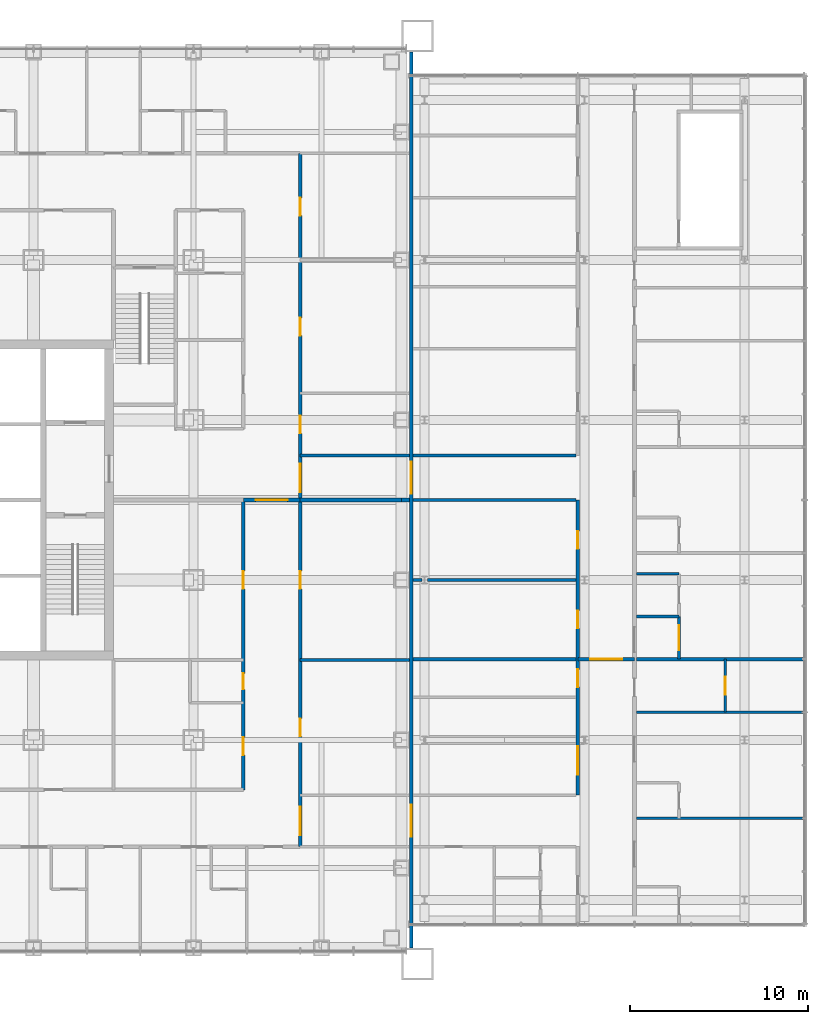
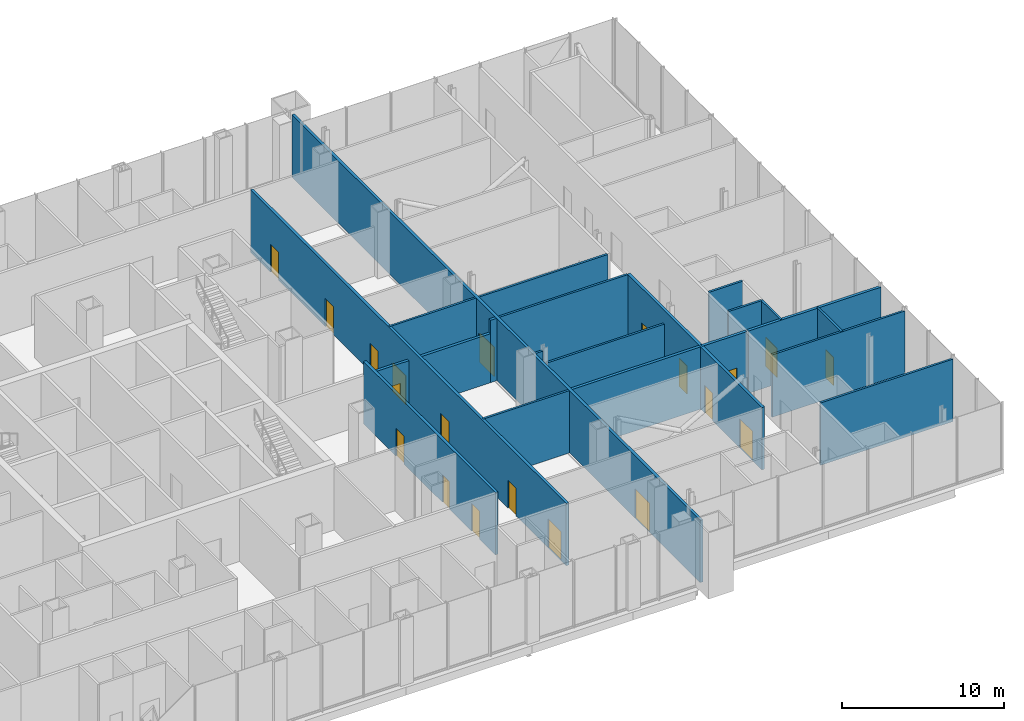
# One storey, part 21 of 28: 22 walls, 20 doors, 20 openings.
"""IFC4 building model written with IfcOpenShell, lengths in metres."""

from ifc_helpers import new_model, si_unit, direction, frame, frame_2d, origin, place, context, subcontext, project, spatial, rectangle, extrude, material, layer, layer_set, type_object, element, fill, save


model = new_model("IFC4")

# Units and contexts
model_context = context("Model", 3, precision=1e-05, world=origin(), true_north=direction((0.0, 1.0)))
body_context = subcontext(model_context, "Body", "Model", "MODEL_VIEW")
ifc_project = project(units=[si_unit("LENGTHUNIT", "METRE"), si_unit("AREAUNIT", "SQUARE_METRE"), si_unit("VOLUMEUNIT", "CUBIC_METRE"), si_unit("PLANEANGLEUNIT", "RADIAN"), si_unit("MASSUNIT", "GRAM", prefix="KILO")], contexts=[model_context])

# Site, building, storey
site_placement = place(None, origin())
site = spatial("IfcSite", under=ifc_project, at=site_placement, CompositionType="ELEMENT")
building_placement = place(site_placement, origin())
building = spatial("IfcBuilding", under=site, at=building_placement, Name="Malebo Sky Hospital", CompositionType="ELEMENT")
storey_placement = place(building_placement, frame((0.0, 0.0, 21.0)))
storey = spatial("IfcBuildingStorey", under=building, at=storey_placement, Name="L04", CompositionType="ELEMENT", Elevation=21.0)

# Wall, openings, doors
ifc_material_1 = material(Name="Gypsum board on steel studs", Category="steel")
ifc_layer_1 = layer(ifc_material_1, 0.199951171875)
ifc_layer_set_1 = layer_set([ifc_layer_1], Name="CORRIDOR WALL 200")
wall_type_1 = type_object("IfcWallType", Name="CORRIDOR WALL 200", PredefinedType="PARTITIONING", material=ifc_layer_set_1)
wall_1_placement = place(storey_placement, frame((79.5, 81.5, 0.0), z_axis=(0.0, 0.0, 1.0), x_axis=(0.0, -1.0, 0.0)))
wall_1 = element("IfcWall", 1, at=wall_1_placement, inside=storey, type_object=wall_type_1, Name="Corridor Wall 200 ECO", PredefinedType="PARTITIONING", context=body_context, shape_type="SweptSolid", body=[
    extrude(rectangle(XDim=39.0, YDim=0.199951171875, at=frame_2d((19.5, 0.0))), origin(), (0.0, 0.0, 1.0), 4.699951171875),
])
opening_1_placement = place(wall_1_placement, frame((2.5, 0.0, 0.0)))
opening_1 = element("IfcOpeningElement", 2, at=opening_1_placement, cuts=wall_1, Name="Opening D03", PredefinedType="OPENING", context=body_context, shape_type="SweptSolid", body=[
    extrude(rectangle(XDim=1.0, YDim=2.10009765625, at=frame_2d((0.5, 1.050048828125))), frame((0.0, 0.10986328125, 0.0), z_axis=(0.0, -1.0, 0.0), x_axis=(1.0, 0.0, 0.0)), (0.0, 0.0, 1.0), 0.219970703125),
])
opening_2_placement = place(wall_1_placement, frame((9.25, 0.0, 0.0)))
opening_2 = element("IfcOpeningElement", 3, at=opening_2_placement, cuts=wall_1, Name="Opening D03", PredefinedType="OPENING", context=body_context, shape_type="SweptSolid", body=[
    extrude(rectangle(XDim=1.0, YDim=2.10009765625, at=frame_2d((0.5, 1.050048828125))), frame((0.0, 0.10986328125, 0.0), z_axis=(0.0, -1.0, 0.0), x_axis=(1.0, 0.0, 0.0)), (0.0, 0.0, 1.0), 0.219970703125),
])
opening_3_placement = place(wall_1_placement, frame((14.75, 0.0, 0.0)))
opening_3 = element("IfcOpeningElement", 4, at=opening_3_placement, cuts=wall_1, Name="Opening D03", PredefinedType="OPENING", context=body_context, shape_type="SweptSolid", body=[
    extrude(rectangle(XDim=1.0, YDim=2.10009765625, at=frame_2d((0.5, 1.050048828125))), frame((0.0, 0.10986328125, 0.0), z_axis=(0.0, -1.0, 0.0), x_axis=(1.0, 0.0, 0.0)), (0.0, 0.0, 1.0), 0.219970703125),
])
opening_4_placement = place(wall_1_placement, frame((17.449951171875, 0.0, 0.0)))
opening_4 = element("IfcOpeningElement", 5, at=opening_4_placement, cuts=wall_1, Name="Opening D14", PredefinedType="OPENING", context=body_context, shape_type="SweptSolid", body=[
    extrude(rectangle(XDim=1.60009765625, YDim=2.199951171875, at=frame_2d((0.800048828125, 1.10009765625))), frame((0.0, 0.10986328125, 0.0), z_axis=(0.0, -1.0, 0.0), x_axis=(1.0, 0.0, 0.0)), (0.0, 0.0, 1.0), 0.219970703125),
])
opening_5_placement = place(wall_1_placement, frame((23.5, 0.0, 0.0)))
opening_5 = element("IfcOpeningElement", 6, at=opening_5_placement, cuts=wall_1, Name="Opening D03", PredefinedType="OPENING", context=body_context, shape_type="SweptSolid", body=[
    extrude(rectangle(XDim=1.0, YDim=2.10009765625, at=frame_2d((0.5, 1.050048828125))), frame((0.0, 0.10986328125, 0.0), z_axis=(0.0, -1.0, 0.0), x_axis=(1.0, 0.0, 0.0)), (0.0, 0.0, 1.0), 0.219970703125),
])
opening_6_placement = place(wall_1_placement, frame((31.800048828125, 0.0, 0.0)))
opening_6 = element("IfcOpeningElement", 7, at=opening_6_placement, cuts=wall_1, Name="Opening D03", PredefinedType="OPENING", context=body_context, shape_type="SweptSolid", body=[
    extrude(rectangle(XDim=1.0, YDim=2.10009765625, at=frame_2d((0.5, 1.050048828125))), frame((0.0, 0.10986328125, 0.0), z_axis=(0.0, -1.0, 0.0), x_axis=(1.0, 0.0, 0.0)), (0.0, 0.0, 1.0), 0.219970703125),
])
opening_7_placement = place(wall_1_placement, frame((36.75, 0.0, 0.0)))
opening_7 = element("IfcOpeningElement", 8, at=opening_7_placement, cuts=wall_1, Name="Opening D14", PredefinedType="OPENING", context=body_context, shape_type="SweptSolid", body=[
    extrude(rectangle(XDim=1.60009765625, YDim=2.199951171875, at=frame_2d((0.800048828125, 1.10009765625))), frame((0.0, 0.10986328125, 0.0), z_axis=(0.0, -1.0, 0.0), x_axis=(1.0, 0.0, 0.0)), (0.0, 0.0, 1.0), 0.219970703125),
])
ifc_material_2 = material(Name="Hardwood-faced door leaf in steel frame", Category="steel")
door_type_1 = type_object("IfcDoorType", Name="DEPARTMENT DOOR PAIR 1600", OperationType="DOUBLE_DOOR_DOUBLE_SWING", PredefinedType="DOOR", material=ifc_material_2)
door_1_placement = place(opening_4_placement, origin())
door_1 = element("IfcDoor", 9, at=door_1_placement, inside=storey, type_object=door_type_1, Name="Link corridor door pair", OperationType="DOUBLE_DOOR_DOUBLE_SWING", OverallHeight=2.199951171875, OverallWidth=1.60009765625, PredefinedType="DOOR", context=body_context, shape_type="SweptSolid", body=[
    extrude(rectangle(XDim=1.60009765625, YDim=2.199951171875, at=frame_2d((0.800048828125, 1.10009765625))), frame((0.0, 0.02490234375, 0.0), z_axis=(0.0, -1.0, 0.0), x_axis=(1.0, 0.0, 0.0)), (0.0, 0.0, 1.0), 0.050048828125),
])
fill(opening_4, door_1)
door_2_placement = place(opening_7_placement, origin())
door_2 = element("IfcDoor", 10, at=door_2_placement, inside=storey, type_object=door_type_1, Name="Link corridor door pair", OperationType="DOUBLE_DOOR_DOUBLE_SWING", OverallHeight=2.199951171875, OverallWidth=1.60009765625, PredefinedType="DOOR", context=body_context, shape_type="SweptSolid", body=[
    extrude(rectangle(XDim=1.60009765625, YDim=2.199951171875, at=frame_2d((0.800048828125, 1.10009765625))), frame((0.0, 0.02490234375, 0.0), z_axis=(0.0, -1.0, 0.0), x_axis=(1.0, 0.0, 0.0)), (0.0, 0.0, 1.0), 0.050048828125),
])
fill(opening_7, door_2)
door_type_2 = type_object("IfcDoorType", Name="ROOM DOOR 1000", OperationType="SINGLE_SWING_LEFT", PredefinedType="DOOR", material=ifc_material_2)
door_3_placement = place(opening_1_placement, origin())
door_3 = element("IfcDoor", 11, at=door_3_placement, inside=storey, type_object=door_type_2, Name="ICU satellite pharmacy door", OperationType="SINGLE_SWING_LEFT", OverallHeight=2.10009765625, OverallWidth=1.0, PredefinedType="DOOR", context=body_context, shape_type="SweptSolid", body=[
    extrude(rectangle(XDim=1.0, YDim=2.10009765625, at=frame_2d((0.5, 1.050048828125))), frame((0.0, 0.02490234375, 0.0), z_axis=(0.0, -1.0, 0.0), x_axis=(1.0, 0.0, 0.0)), (0.0, 0.0, 1.0), 0.050048828125),
])
fill(opening_1, door_3)
door_4_placement = place(opening_2_placement, origin())
door_4 = element("IfcDoor", 12, at=door_4_placement, inside=storey, type_object=door_type_2, Name="ICU clean utility room door", OperationType="SINGLE_SWING_LEFT", OverallHeight=2.10009765625, OverallWidth=1.0, PredefinedType="DOOR", context=body_context, shape_type="SweptSolid", body=[
    extrude(rectangle(XDim=1.0, YDim=2.10009765625, at=frame_2d((0.5, 1.050048828125))), frame((0.0, 0.02490234375, 0.0), z_axis=(0.0, -1.0, 0.0), x_axis=(1.0, 0.0, 0.0)), (0.0, 0.0, 1.0), 0.050048828125),
])
fill(opening_2, door_4)
door_5_placement = place(opening_3_placement, origin())
door_5 = element("IfcDoor", 13, at=door_5_placement, inside=storey, type_object=door_type_2, Name="ICU consultant office door", OperationType="SINGLE_SWING_LEFT", OverallHeight=2.10009765625, OverallWidth=1.0, PredefinedType="DOOR", context=body_context, shape_type="SweptSolid", body=[
    extrude(rectangle(XDim=1.0, YDim=2.10009765625, at=frame_2d((0.5, 1.050048828125))), frame((0.0, 0.02490234375, 0.0), z_axis=(0.0, -1.0, 0.0), x_axis=(1.0, 0.0, 0.0)), (0.0, 0.0, 1.0), 0.050048828125),
])
fill(opening_3, door_5)
door_6_placement = place(opening_5_placement, origin())
door_6 = element("IfcDoor", 14, at=door_6_placement, inside=storey, type_object=door_type_2, Name="ICU relatives overnight room door", OperationType="SINGLE_SWING_LEFT", OverallHeight=2.10009765625, OverallWidth=1.0, PredefinedType="DOOR", context=body_context, shape_type="SweptSolid", body=[
    extrude(rectangle(XDim=1.0, YDim=2.10009765625, at=frame_2d((0.5, 1.050048828125))), frame((0.0, 0.02490234375, 0.0), z_axis=(0.0, -1.0, 0.0), x_axis=(1.0, 0.0, 0.0)), (0.0, 0.0, 1.0), 0.050048828125),
])
fill(opening_5, door_6)
door_7_placement = place(opening_6_placement, origin())
door_7 = element("IfcDoor", 15, at=door_7_placement, inside=storey, type_object=door_type_2, Name="ICU dirty utility room door", OperationType="SINGLE_SWING_LEFT", OverallHeight=2.10009765625, OverallWidth=1.0, PredefinedType="DOOR", context=body_context, shape_type="SweptSolid", body=[
    extrude(rectangle(XDim=1.0, YDim=2.10009765625, at=frame_2d((0.5, 1.050048828125))), frame((0.0, 0.02490234375, 0.0), z_axis=(0.0, -1.0, 0.0), x_axis=(1.0, 0.0, 0.0)), (0.0, 0.0, 1.0), 0.050048828125),
])
fill(opening_6, door_7)

wall_2_placement = place(storey_placement, frame((76.300048828125, 62.0, 0.0), z_axis=(0.0, 0.0, 1.0), x_axis=(0.0, -1.0, 0.0)))
wall_2 = element("IfcWall", 16, at=wall_2_placement, inside=storey, type_object=wall_type_1, Name="Corridor Wall 200 ECI2", PredefinedType="PARTITIONING", context=body_context, shape_type="SweptSolid", body=[
    extrude(rectangle(XDim=16.300048828125, YDim=0.199951171875, at=frame_2d((8.14990234375, 0.0))), origin(), (0.0, 0.0, 1.0), 4.699951171875),
])
opening_8_placement = place(wall_2_placement, frame((4.0, 0.0, 0.0)))
opening_8 = element("IfcOpeningElement", 17, at=opening_8_placement, cuts=wall_2, Name="Opening D03", PredefinedType="OPENING", context=body_context, shape_type="SweptSolid", body=[
    extrude(rectangle(XDim=1.0, YDim=2.10009765625, at=frame_2d((0.5, 1.050048828125))), frame((0.0, 0.10986328125, 0.0), z_axis=(0.0, -1.0, 0.0), x_axis=(1.0, 0.0, 0.0)), (0.0, 0.0, 1.0), 0.219970703125),
])
opening_9_placement = place(wall_2_placement, frame((9.75, 0.0, 0.0)))
opening_9 = element("IfcOpeningElement", 18, at=opening_9_placement, cuts=wall_2, Name="Opening D04", PredefinedType="OPENING", context=body_context, shape_type="SweptSolid", body=[
    extrude(rectangle(XDim=0.89990234375, YDim=2.10009765625, at=frame_2d((0.449951171875, 1.050048828125))), frame((0.0, 0.10986328125, 0.0), z_axis=(0.0, -1.0, 0.0), x_axis=(1.0, 0.0, 0.0)), (0.0, 0.0, 1.0), 0.219970703125),
])
opening_10_placement = place(wall_2_placement, frame((13.35009765625, 0.0, 0.0)))
opening_10 = element("IfcOpeningElement", 19, at=opening_10_placement, cuts=wall_2, Name="Opening D03", PredefinedType="OPENING", context=body_context, shape_type="SweptSolid", body=[
    extrude(rectangle(XDim=1.0, YDim=2.10009765625, at=frame_2d((0.5, 1.050048828125))), frame((0.0, 0.10986328125, 0.0), z_axis=(0.0, -1.0, 0.0), x_axis=(1.0, 0.0, 0.0)), (0.0, 0.0, 1.0), 0.219970703125),
])
door_8_placement = place(opening_8_placement, origin())
door_8 = element("IfcDoor", 20, at=door_8_placement, inside=storey, type_object=door_type_2, Name="Store door", OperationType="SINGLE_SWING_LEFT", OverallHeight=2.10009765625, OverallWidth=1.0, PredefinedType="DOOR", context=body_context, shape_type="SweptSolid", body=[
    extrude(rectangle(XDim=1.0, YDim=2.10009765625, at=frame_2d((0.5, 1.050048828125))), frame((0.0, 0.02490234375, 0.0), z_axis=(0.0, -1.0, 0.0), x_axis=(1.0, 0.0, 0.0)), (0.0, 0.0, 1.0), 0.050048828125),
])
fill(opening_8, door_8)
door_9_placement = place(opening_10_placement, origin())
door_9 = element("IfcDoor", 21, at=door_9_placement, inside=storey, type_object=door_type_2, Name="Cleaning equipment store door", OperationType="SINGLE_SWING_RIGHT", OverallHeight=2.10009765625, OverallWidth=1.0, PredefinedType="DOOR", context=body_context, shape_type="SweptSolid", body=[
    extrude(rectangle(XDim=1.0, YDim=2.10009765625, at=frame_2d((0.5, 1.050048828125))), frame((0.0, 0.02490234375, 0.0), z_axis=(0.0, -1.0, 0.0), x_axis=(1.0, 0.0, 0.0)), (0.0, 0.0, 1.0), 0.050048828125),
])
fill(opening_10, door_9)
door_type_3 = type_object("IfcDoorType", Name="ROOM DOOR 900", OperationType="SINGLE_SWING_LEFT", PredefinedType="DOOR", material=ifc_material_2)
door_10_placement = place(opening_9_placement, origin())
door_10 = element("IfcDoor", 22, at=door_10_placement, inside=storey, type_object=door_type_3, Name="Cleaner's room door", OperationType="SINGLE_SWING_LEFT", OverallHeight=2.10009765625, OverallWidth=0.89990234375, PredefinedType="DOOR", context=body_context, shape_type="SweptSolid", body=[
    extrude(rectangle(XDim=0.89990234375, YDim=2.10009765625, at=frame_2d((0.449951171875, 1.050048828125))), frame((0.0, 0.02490234375, 0.0), z_axis=(0.0, -1.0, 0.0), x_axis=(1.0, 0.0, 0.0)), (0.0, 0.0, 1.0), 0.050048828125),
])
fill(opening_9, door_10)

wall_3_placement = place(storey_placement, frame((95.117919921875, 45.39990234375, 0.0), z_axis=(0.0, 0.0, 1.0), x_axis=(0.0, 1.0, 0.0)))
wall_3 = element("IfcWall", 23, at=wall_3_placement, inside=storey, type_object=wall_type_1, Name="Corridor Wall 200 EWC2B", PredefinedType="PARTITIONING", context=body_context, shape_type="SweptSolid", body=[
    extrude(rectangle(XDim=16.60009765625, YDim=0.199951171875, at=frame_2d((8.300048828125, 0.0))), origin(), (0.0, 0.0, 1.0), 4.699951171875),
])
opening_11_placement = place(wall_3_placement, frame((1.14990234375, 0.0, 0.0)))
opening_11 = element("IfcOpeningElement", 24, at=opening_11_placement, cuts=wall_3, Name="Opening D14", PredefinedType="OPENING", context=body_context, shape_type="SweptSolid", body=[
    extrude(rectangle(XDim=1.60009765625, YDim=2.199951171875, at=frame_2d((0.800048828125, 1.10009765625))), frame((0.0, 0.10986328125, 0.0), z_axis=(0.0, -1.0, 0.0), x_axis=(1.0, 0.0, 0.0)), (0.0, 0.0, 1.0), 0.219970703125),
])
opening_12_placement = place(wall_3_placement, frame((6.073486328125, 0.0, 0.0)))
opening_12 = element("IfcOpeningElement", 25, at=opening_12_placement, cuts=wall_3, Name="Opening D03", PredefinedType="OPENING", context=body_context, shape_type="SweptSolid", body=[
    extrude(rectangle(XDim=1.0, YDim=2.10009765625, at=frame_2d((0.5, 1.050048828125))), frame((0.0, 0.10986328125, 0.0), z_axis=(0.0, -1.0, 0.0), x_axis=(1.0, 0.0, 0.0)), (0.0, 0.0, 1.0), 0.219970703125),
])
opening_13_placement = place(wall_3_placement, frame((9.37353515625, 0.0, 0.0)))
opening_13 = element("IfcOpeningElement", 26, at=opening_13_placement, cuts=wall_3, Name="Opening D03", PredefinedType="OPENING", context=body_context, shape_type="SweptSolid", body=[
    extrude(rectangle(XDim=1.0, YDim=2.10009765625, at=frame_2d((0.5, 1.050048828125))), frame((0.0, 0.10986328125, 0.0), z_axis=(0.0, -1.0, 0.0), x_axis=(1.0, 0.0, 0.0)), (0.0, 0.0, 1.0), 0.219970703125),
])
opening_14_placement = place(wall_3_placement, frame((13.85009765625, 0.0, 0.0)))
opening_14 = element("IfcOpeningElement", 27, at=opening_14_placement, cuts=wall_3, Name="Opening D03", PredefinedType="OPENING", context=body_context, shape_type="SweptSolid", body=[
    extrude(rectangle(XDim=1.0, YDim=2.10009765625, at=frame_2d((0.5, 1.050048828125))), frame((0.0, 0.10986328125, 0.0), z_axis=(0.0, -1.0, 0.0), x_axis=(1.0, 0.0, 0.0)), (0.0, 0.0, 1.0), 0.219970703125),
])
door_11_placement = place(opening_11_placement, origin())
door_11 = element("IfcDoor", 28, at=door_11_placement, inside=storey, type_object=door_type_1, Name="ICU equipment store door", OperationType="DOUBLE_DOOR_DOUBLE_SWING", OverallHeight=2.199951171875, OverallWidth=1.60009765625, PredefinedType="DOOR", context=body_context, shape_type="SweptSolid", body=[
    extrude(rectangle(XDim=1.60009765625, YDim=2.199951171875, at=frame_2d((0.800048828125, 1.10009765625))), frame((0.0, 0.02490234375, 0.0), z_axis=(0.0, -1.0, 0.0), x_axis=(1.0, 0.0, 0.0)), (0.0, 0.0, 1.0), 0.050048828125),
])
fill(opening_11, door_11)
door_12_placement = place(opening_12_placement, origin())
door_12 = element("IfcDoor", 29, at=door_12_placement, inside=storey, type_object=door_type_2, Name="Clean utility room door", OperationType="SINGLE_SWING_RIGHT", OverallHeight=2.10009765625, OverallWidth=1.0, PredefinedType="DOOR", context=body_context, shape_type="SweptSolid", body=[
    extrude(rectangle(XDim=1.0, YDim=2.10009765625, at=frame_2d((0.5, 1.050048828125))), frame((0.0, 0.02490234375, 0.0), z_axis=(0.0, -1.0, 0.0), x_axis=(1.0, 0.0, 0.0)), (0.0, 0.0, 1.0), 0.050048828125),
])
fill(opening_12, door_12)
door_13_placement = place(opening_13_placement, origin())
door_13 = element("IfcDoor", 30, at=door_13_placement, inside=storey, type_object=door_type_2, Name="ICU blood gas laboratory door", OperationType="SINGLE_SWING_LEFT", OverallHeight=2.10009765625, OverallWidth=1.0, PredefinedType="DOOR", context=body_context, shape_type="SweptSolid", body=[
    extrude(rectangle(XDim=1.0, YDim=2.10009765625, at=frame_2d((0.5, 1.050048828125))), frame((0.0, 0.02490234375, 0.0), z_axis=(0.0, -1.0, 0.0), x_axis=(1.0, 0.0, 0.0)), (0.0, 0.0, 1.0), 0.050048828125),
])
fill(opening_13, door_13)
door_14_placement = place(opening_14_placement, origin())
door_14 = element("IfcDoor", 31, at=door_14_placement, inside=storey, type_object=door_type_2, Name="ICU staff base door", OperationType="SINGLE_SWING_LEFT", OverallHeight=2.10009765625, OverallWidth=1.0, PredefinedType="DOOR", context=body_context, shape_type="SweptSolid", body=[
    extrude(rectangle(XDim=1.0, YDim=2.10009765625, at=frame_2d((0.5, 1.050048828125))), frame((0.0, 0.02490234375, 0.0), z_axis=(0.0, -1.0, 0.0), x_axis=(1.0, 0.0, 0.0)), (0.0, 0.0, 1.0), 0.050048828125),
])
fill(opening_14, door_14)

ifc_material_3 = material(Name="Concrete blockwork", Category="masonry")
ifc_layer_2 = layer(ifc_material_3, 0.199951171875)
ifc_layer_set_2 = layer_set([ifc_layer_2], Name="MOVEMENT JOINT WALL 200")
wall_type_2 = type_object("IfcWallType", Name="MOVEMENT JOINT WALL 200", PredefinedType="SOLIDWALL", material=ifc_layer_set_2)
wall_4_placement = place(storey_placement, frame((85.75, 36.800048828125, 0.0), z_axis=(0.0, 0.0, 1.0), x_axis=(0.0, 1.0, 0.0)))
wall_4 = element("IfcWall", 32, at=wall_4_placement, inside=storey, type_object=wall_type_2, Name="Movement Joint Wall 200 EJ", PredefinedType="SOLIDWALL", context=body_context, shape_type="SweptSolid", body=[
    extrude(rectangle(XDim=50.39990234375, YDim=0.199951171875, at=frame_2d((25.199951171875, 0.0))), origin(), (0.0, 0.0, 1.0), 4.699951171875),
])
opening_15_placement = place(wall_4_placement, frame((6.25, 0.0, 0.0)))
opening_15 = element("IfcOpeningElement", 33, at=opening_15_placement, cuts=wall_4, Name="Opening D28", PredefinedType="OPENING", context=body_context, shape_type="SweptSolid", body=[
    extrude(rectangle(XDim=1.800048828125, YDim=2.199951171875, at=frame_2d((0.89990234375, 1.10009765625))), frame((0.0, 0.10986328125, 0.0), z_axis=(0.0, -1.0, 0.0), x_axis=(1.0, 0.0, 0.0)), (0.0, 0.0, 1.0), 0.219970703125),
])
opening_16_placement = place(wall_4_placement, frame((25.550048828125, 0.0, 0.0)))
opening_16 = element("IfcOpeningElement", 34, at=opening_16_placement, cuts=wall_4, Name="Opening D28", PredefinedType="OPENING", context=body_context, shape_type="SweptSolid", body=[
    extrude(rectangle(XDim=1.800048828125, YDim=2.199951171875, at=frame_2d((0.89990234375, 1.10009765625))), frame((0.0, 0.10986328125, 0.0), z_axis=(0.0, -1.0, 0.0), x_axis=(1.0, 0.0, 0.0)), (0.0, 0.0, 1.0), 0.219970703125),
])
door_type_4 = type_object("IfcDoorType", Name="FIRE DOOR PAIR 1800", OperationType="DOUBLE_DOOR_SINGLE_SWING", PredefinedType="DOOR", material=ifc_material_2)
door_15_placement = place(opening_15_placement, origin())
door_15 = element("IfcDoor", 35, at=door_15_placement, inside=storey, type_object=door_type_4, Name="Link fire door pair", OperationType="DOUBLE_DOOR_SINGLE_SWING", OverallHeight=2.199951171875, OverallWidth=1.800048828125, PredefinedType="DOOR", context=body_context, shape_type="SweptSolid", body=[
    extrude(rectangle(XDim=1.800048828125, YDim=2.199951171875, at=frame_2d((0.89990234375, 1.10009765625))), frame((0.0, 0.02490234375, 0.0), z_axis=(0.0, -1.0, 0.0), x_axis=(1.0, 0.0, 0.0)), (0.0, 0.0, 1.0), 0.050048828125),
])
fill(opening_15, door_15)
door_16_placement = place(opening_16_placement, origin())
door_16 = element("IfcDoor", 36, at=door_16_placement, inside=storey, type_object=door_type_4, Name="Link fire door pair", OperationType="DOUBLE_DOOR_SINGLE_SWING", OverallHeight=2.199951171875, OverallWidth=1.800048828125, PredefinedType="DOOR", context=body_context, shape_type="SweptSolid", body=[
    extrude(rectangle(XDim=1.800048828125, YDim=2.199951171875, at=frame_2d((0.89990234375, 1.10009765625))), frame((0.0, 0.02490234375, 0.0), z_axis=(0.0, -1.0, 0.0), x_axis=(1.0, 0.0, 0.0)), (0.0, 0.0, 1.0), 0.050048828125),
])
fill(opening_16, door_16)

# Walls
ifc_layer_3 = layer(ifc_material_1, 0.14990234375)
ifc_layer_set_3 = layer_set([ifc_layer_3], Name="PARTITION 150")
wall_type_3 = type_object("IfcWallType", Name="PARTITION 150", PredefinedType="PARTITIONING", material=ifc_layer_set_3)
for number, where, z_axis, x_axis, name in (
    (37, (79.5, 64.5, 0.0), (0.0, 0.0, 1.0), (1.0, 0.0, 0.0), "Partition 150 EP-2.5"),
    (38, (79.5, 53.0, 0.0), (0.0, 0.0, 1.0), (1.0, 0.0, 0.0), "Partition 150 EP+9.0"),
):
    element("IfcWall", number, at=place(storey_placement, frame(where, z_axis=z_axis, x_axis=x_axis)), inside=storey, type_object=wall_type_3, Name=name, PredefinedType="PARTITIONING", context=body_context, shape_type="SweptSolid", body=[
        extrude(rectangle(XDim=6.14990234375, YDim=0.14990234375, at=frame_2d((3.074951171875, 0.0))), origin(), (0.0, 0.0, 1.0), 4.699951171875),
    ])
for number, where, z_axis, x_axis, name in (
    (39, (107.85009765625, 44.09375, 0.0), (0.0, 0.0, 1.0), (-1.0, 0.0, 0.0), "Partition 150 EOH00"),
    (40, (107.85009765625, 50.0625, 0.0), (0.0, 0.0, 1.0), (-1.0, 0.0, 0.0), "Partition 150 EOH01"),
):
    element("IfcWall", number, at=place(storey_placement, frame(where, z_axis=z_axis, x_axis=x_axis)), inside=storey, type_object=wall_type_3, Name=name, PredefinedType="PARTITIONING", context=body_context, shape_type="SweptSolid", body=[
        extrude(rectangle(XDim=9.443115234375, YDim=0.14990234375, at=frame_2d((4.7216796875, 0.0))), origin(), (0.0, 0.0, 1.0), 4.699951171875),
    ])

# Wall, opening, door
wall_5_placement = place(storey_placement, frame((103.406982421875, 50.0625, 0.0), z_axis=(0.0, 0.0, 1.0), x_axis=(0.0, 1.0, 0.0)))
wall_5 = element("IfcWall", 41, at=wall_5_placement, inside=storey, type_object=wall_type_3, Name="Partition 150 EOV06", PredefinedType="PARTITIONING", context=body_context, shape_type="SweptSolid", body=[
    extrude(rectangle(XDim=2.984375, YDim=0.14990234375, at=frame_2d((1.4921875, 0.0))), origin(), (0.0, 0.0, 1.0), 4.699951171875),
])
opening_17_placement = place(wall_5_placement, frame((0.9921875, 0.0, 0.0)))
opening_17 = element("IfcOpeningElement", 42, at=opening_17_placement, cuts=wall_5, Name="Opening D03", PredefinedType="OPENING", context=body_context, shape_type="SweptSolid", body=[
    extrude(rectangle(XDim=1.0, YDim=2.10009765625, at=frame_2d((0.5, 1.050048828125))), frame((0.0, 0.0849609375, 0.0), z_axis=(0.0, -1.0, 0.0), x_axis=(1.0, 0.0, 0.0)), (0.0, 0.0, 1.0), 0.169921875),
])
door_17_placement = place(opening_17_placement, origin())
door_17 = element("IfcDoor", 43, at=door_17_placement, inside=storey, type_object=door_type_2, Name="ICU clean utility room inner door", OperationType="SINGLE_SWING_RIGHT", OverallHeight=2.10009765625, OverallWidth=1.0, PredefinedType="DOOR", context=body_context, shape_type="SweptSolid", body=[
    extrude(rectangle(XDim=1.0, YDim=2.10009765625, at=frame_2d((0.5, 1.050048828125))), frame((0.0, 0.02490234375, 0.0), z_axis=(0.0, -1.0, 0.0), x_axis=(1.0, 0.0, 0.0)), (0.0, 0.0, 1.0), 0.050048828125),
])
fill(opening_17, door_17)

# Walls
wall_6_placement = place(storey_placement, frame((98.406982421875, 57.846923828125, 0.0), z_axis=(0.0, 0.0, 1.0), x_axis=(1.0, 0.0, 0.0)))
element("IfcWall", 44, at=wall_6_placement, inside=storey, type_object=wall_type_3, Name="Partition 150 EOX03S", PredefinedType="PARTITIONING", context=body_context, shape_type="SweptSolid", body=[
    extrude(rectangle(XDim=2.39990234375, YDim=0.14990234375, at=frame_2d((1.199951171875, 0.0))), origin(), (0.0, 0.0, 1.0), 4.699951171875),
])
wall_7_placement = place(storey_placement, frame((95.01806640625, 57.5, 0.0), z_axis=(0.0, 0.0, 1.0), x_axis=(-1.0, 0.0, 0.0)))
element("IfcWall", 45, at=wall_7_placement, inside=storey, type_object=wall_type_3, Name="Partition 150 EIH05", PredefinedType="PARTITIONING", context=body_context, shape_type="SweptSolid", body=[
    extrude(rectangle(XDim=8.364501953125, YDim=0.14990234375, at=frame_2d((4.18212890625, 0.0))), origin(), (0.0, 0.0, 1.0), 3.699951171875),
])
wall_8_placement = place(storey_placement, frame((86.346435546875, 57.5, 0.0), z_axis=(0.0, 0.0, 1.0), x_axis=(-1.0, 0.0, 0.0)))
element("IfcWall", 46, at=wall_8_placement, inside=storey, type_object=wall_type_3, Name="Partition 150 EIH05", PredefinedType="PARTITIONING", context=body_context, shape_type="SweptSolid", body=[
    extrude(rectangle(XDim=0.496337890625, YDim=0.14990234375, at=frame_2d((0.248046875, 0.0))), origin(), (0.0, 0.0, 1.0), 4.699951171875),
])
for number, where, z_axis, x_axis, name in (
    (47, (95.01806640625, 62.0, 0.0), (0.0, 0.0, 1.0), (-1.0, 0.0, 0.0), "Partition 150 EIH06"),
    (48, (95.01806640625, 64.5, 0.0), (0.0, 0.0, 1.0), (-1.0, 0.0, 0.0), "Partition 150 EIH07"),
):
    element("IfcWall", number, at=place(storey_placement, frame(where, z_axis=z_axis, x_axis=x_axis)), inside=storey, type_object=wall_type_3, Name=name, PredefinedType="PARTITIONING", context=body_context, shape_type="SweptSolid", body=[
        extrude(rectangle(XDim=9.16796875, YDim=0.14990234375, at=frame_2d((4.583984375, 0.0))), origin(), (0.0, 0.0, 1.0), 4.699951171875),
    ])

# Wall, opening, door
ifc_material_4 = material(Name="Sealed gypsum board on steel studs, taped to the slab", Category="steel")
ifc_layer_4 = layer(ifc_material_4, 0.14990234375)
ifc_layer_set_4 = layer_set([ifc_layer_4], Name="SEALED ISOLATION PARTITION 150")
wall_type_4 = type_object("IfcWallType", Name="SEALED ISOLATION PARTITION 150", PredefinedType="PARTITIONING", material=ifc_layer_set_4)
wall_9_placement = place(storey_placement, frame((100.806884765625, 53.046875, 0.0), z_axis=(0.0, 0.0, 1.0), x_axis=(0.0, 1.0, 0.0)))
wall_9 = element("IfcWall", 49, at=wall_9_placement, inside=storey, type_object=wall_type_4, Name="Sealed Isolation Partition 150 EOX02F", PredefinedType="PARTITIONING", context=body_context, shape_type="SweptSolid", body=[
    extrude(rectangle(XDim=2.400146484375, YDim=0.14990234375, at=frame_2d((1.2001953125, 0.0))), origin(), (0.0, 0.0, 1.0), 4.699951171875),
])
opening_18_placement = place(wall_9_placement, frame((0.5, 0.0, 0.0)))
opening_18 = element("IfcOpeningElement", 50, at=opening_18_placement, cuts=wall_9, Name="Opening D29", PredefinedType="OPENING", context=body_context, shape_type="SweptSolid", body=[
    extrude(rectangle(XDim=1.39990234375, YDim=2.199951171875, at=frame_2d((0.699951171875, 1.10009765625))), frame((0.0, 0.0849609375, 0.0), z_axis=(0.0, -1.0, 0.0), x_axis=(1.0, 0.0, 0.0)), (0.0, 0.0, 1.0), 0.169921875),
])
ifc_material_5 = material(Name="Hardwood-faced door leaf with perimeter seals in steel frame", Category="steel")
door_type_5 = type_object("IfcDoorType", Name="SEALED ISOLATION BED DOOR PAIR 1400", OperationType="DOUBLE_DOOR_SINGLE_SWING", PredefinedType="DOOR", material=ifc_material_5)
door_18_placement = place(opening_18_placement, origin())
door_18 = element("IfcDoor", 51, at=door_18_placement, inside=storey, type_object=door_type_5, Name="Isolation room door", OperationType="DOUBLE_DOOR_SINGLE_SWING", OverallHeight=2.199951171875, OverallWidth=1.39990234375, PredefinedType="DOOR", context=body_context, shape_type="SweptSolid", body=[
    extrude(rectangle(XDim=1.39990234375, YDim=2.199951171875, at=frame_2d((0.699951171875, 1.10009765625))), frame((0.0, 0.02490234375, 0.0), z_axis=(0.0, -1.0, 0.0), x_axis=(1.0, 0.0, 0.0)), (0.0, 0.0, 1.0), 0.050048828125),
])
fill(opening_18, door_18)

# Walls
wall_10_placement = place(storey_placement, frame((98.406982421875, 55.447021484375, 0.0), z_axis=(0.0, 0.0, 1.0), x_axis=(1.0, 0.0, 0.0)))
element("IfcWall", 52, at=wall_10_placement, inside=storey, type_object=wall_type_4, Name="Sealed Isolation Partition 150 EOX02S", PredefinedType="PARTITIONING", context=body_context, shape_type="SweptSolid", body=[
    extrude(rectangle(XDim=2.39990234375, YDim=0.14990234375, at=frame_2d((1.199951171875, 0.0))), origin(), (0.0, 0.0, 1.0), 4.699951171875),
])
ifc_layer_5 = layer(ifc_material_3, 0.199951171875)
ifc_layer_set_5 = layer_set([ifc_layer_5], Name="SMOKE BARRIER WALL 200")
wall_type_5 = type_object("IfcWallType", Name="SMOKE BARRIER WALL 200", PredefinedType="SOLIDWALL", material=ifc_layer_set_5)
wall_11_placement = place(storey_placement, frame((79.5, 62.0, 0.0), z_axis=(0.0, 0.0, 1.0), x_axis=(1.0, 0.0, 0.0)))
element("IfcWall", 53, at=wall_11_placement, inside=storey, type_object=wall_type_5, Name="Smoke Barrier Wall 200 EP+0.0", PredefinedType="SOLIDWALL", context=body_context, shape_type="SweptSolid", body=[
    extrude(rectangle(XDim=5.699951171875, YDim=0.199951171875, at=frame_2d((2.85009765625, 0.0))), origin(), (0.0, 0.0, 1.0), 3.699951171875),
])
wall_12_placement = place(storey_placement, frame((85.199951171875, 62.0, 0.0), z_axis=(0.0, 0.0, 1.0), x_axis=(1.0, 0.0, 0.0)))
element("IfcWall", 54, at=wall_12_placement, inside=storey, type_object=wall_type_5, Name="Smoke Barrier Wall 200 EP+0.0", PredefinedType="SOLIDWALL", context=body_context, shape_type="SweptSolid", body=[
    extrude(rectangle(XDim=0.449951171875, YDim=0.199951171875, at=frame_2d((0.22509765625, 0.0))), origin(), (0.0, 0.0, 1.0), 4.699951171875),
])

# Wall, opening, door
wall_13_placement = place(storey_placement, frame((76.300048828125, 62.0, 0.0), z_axis=(0.0, 0.0, 1.0), x_axis=(1.0, 0.0, 0.0)))
wall_13 = element("IfcWall", 55, at=wall_13_placement, inside=storey, type_object=wall_type_5, Name="Smoke Barrier Wall 200 ESB", PredefinedType="SOLIDWALL", context=body_context, shape_type="SweptSolid", body=[
    extrude(rectangle(XDim=3.199951171875, YDim=0.199951171875, at=frame_2d((1.60009765625, 0.0))), origin(), (0.0, 0.0, 1.0), 3.699951171875),
])
opening_19_placement = place(wall_13_placement, frame((0.699951171875, 0.0, 0.0)))
opening_19 = element("IfcOpeningElement", 56, at=opening_19_placement, cuts=wall_13, Name="Opening D05", PredefinedType="OPENING", context=body_context, shape_type="SweptSolid", body=[
    extrude(rectangle(XDim=1.800048828125, YDim=2.199951171875, at=frame_2d((0.89990234375, 1.10009765625))), frame((0.0, 0.10986328125, 0.0), z_axis=(0.0, -1.0, 0.0), x_axis=(1.0, 0.0, 0.0)), (0.0, 0.0, 1.0), 0.219970703125),
])
door_type_6 = type_object("IfcDoorType", Name="SMOKE DOOR PAIR 1800", OperationType="DOUBLE_DOOR_DOUBLE_SWING", PredefinedType="DOOR", material=ifc_material_2)
door_19_placement = place(opening_19_placement, origin())
door_19 = element("IfcDoor", 57, at=door_19_placement, inside=storey, type_object=door_type_6, Name="Smoke compartment door pair", OperationType="DOUBLE_DOOR_DOUBLE_SWING", OverallHeight=2.199951171875, OverallWidth=1.800048828125, PredefinedType="DOOR", context=body_context, shape_type="SweptSolid", body=[
    extrude(rectangle(XDim=1.800048828125, YDim=2.199951171875, at=frame_2d((0.89990234375, 1.10009765625))), frame((0.0, 0.02490234375, 0.0), z_axis=(0.0, -1.0, 0.0), x_axis=(1.0, 0.0, 0.0)), (0.0, 0.0, 1.0), 0.050048828125),
])
fill(opening_19, door_19)

wall_14_placement = place(storey_placement, frame((98.306884765625, 53.046875, 0.0), z_axis=(0.0, 0.0, 1.0), x_axis=(-1.0, 0.0, 0.0)))
wall_14 = element("IfcWall", 58, at=wall_14_placement, inside=storey, type_object=wall_type_5, Name="Smoke Barrier Wall 200 EWSB", PredefinedType="SOLIDWALL", context=body_context, shape_type="SweptSolid", body=[
    extrude(rectangle(XDim=3.18896484375, YDim=0.199951171875, at=frame_2d((1.594482421875, 0.0))), origin(), (0.0, 0.0, 1.0), 4.699951171875),
])
opening_20_placement = place(wall_14_placement, frame((0.694580078125, 0.0, 0.0)))
opening_20 = element("IfcOpeningElement", 59, at=opening_20_placement, cuts=wall_14, Name="Opening D05", PredefinedType="OPENING", context=body_context, shape_type="SweptSolid", body=[
    extrude(rectangle(XDim=1.800048828125, YDim=2.199951171875, at=frame_2d((0.89990234375, 1.10009765625))), frame((0.0, 0.10986328125, 0.0), z_axis=(0.0, -1.0, 0.0), x_axis=(1.0, 0.0, 0.0)), (0.0, 0.0, 1.0), 0.219970703125),
])
door_20_placement = place(opening_20_placement, origin())
door_20 = element("IfcDoor", 60, at=door_20_placement, inside=storey, type_object=door_type_6, Name="Smoke compartment door pair", OperationType="DOUBLE_DOOR_DOUBLE_SWING", OverallHeight=2.199951171875, OverallWidth=1.800048828125, PredefinedType="DOOR", context=body_context, shape_type="SweptSolid", body=[
    extrude(rectangle(XDim=1.800048828125, YDim=2.199951171875, at=frame_2d((0.89990234375, 1.10009765625))), frame((0.0, 0.02490234375, 0.0), z_axis=(0.0, -1.0, 0.0), x_axis=(1.0, 0.0, 0.0)), (0.0, 0.0, 1.0), 0.050048828125),
])
fill(opening_20, door_20)

# Walls
wall_15_placement = place(storey_placement, frame((107.85009765625, 53.046875, 0.0), z_axis=(0.0, 0.0, 1.0), x_axis=(-1.0, 0.0, 0.0)))
element("IfcWall", 61, at=wall_15_placement, inside=storey, type_object=wall_type_5, Name="Smoke Barrier Wall 200 EOH02", PredefinedType="SOLIDWALL", context=body_context, shape_type="SweptSolid", body=[
    extrude(rectangle(XDim=9.443115234375, YDim=0.199951171875, at=frame_2d((4.7216796875, 0.0))), origin(), (0.0, 0.0, 1.0), 4.699951171875),
])
wall_16_placement = place(storey_placement, frame((95.01806640625, 53.046875, 0.0), z_axis=(0.0, 0.0, 1.0), x_axis=(-1.0, 0.0, 0.0)))
element("IfcWall", 62, at=wall_16_placement, inside=storey, type_object=wall_type_5, Name="Smoke Barrier Wall 200 EIH04", PredefinedType="SOLIDWALL", context=body_context, shape_type="SweptSolid", body=[
    extrude(rectangle(XDim=9.16796875, YDim=0.199951171875, at=frame_2d((4.583984375, 0.0))), origin(), (0.0, 0.0, 1.0), 4.699951171875),
])

save(model, "model.ifc")
